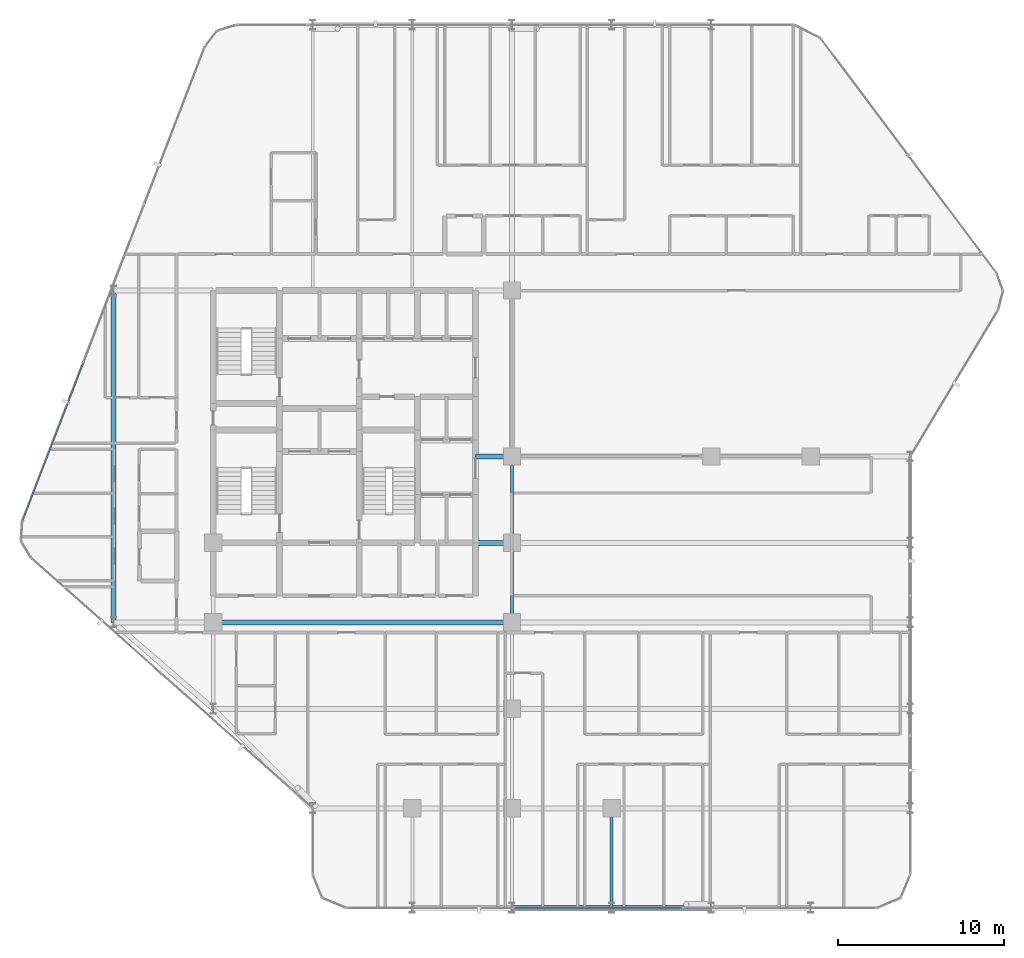
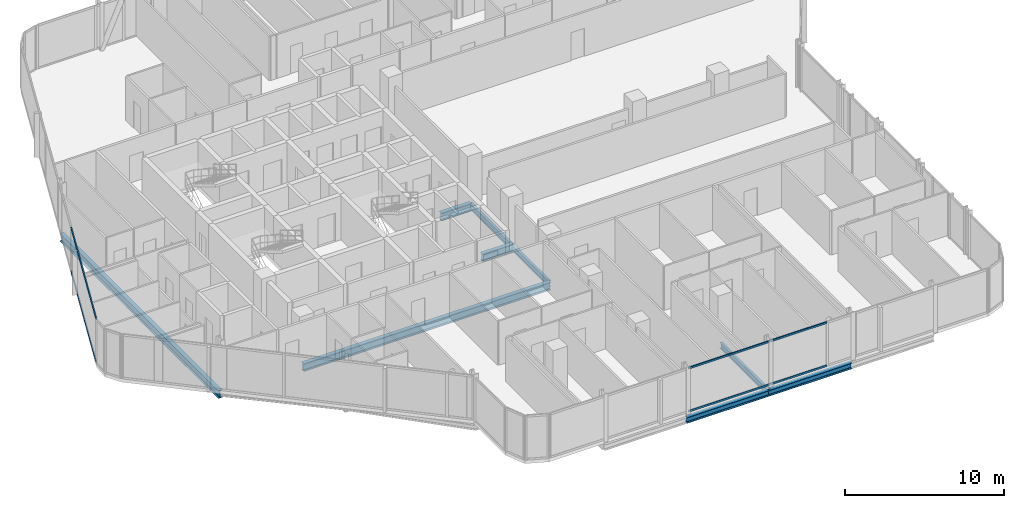
# One storey, part 7 of 29: 9 beams, 4 members, 2 elements without a shape of their own.
"""IFC4 building model written with IfcOpenShell, lengths in metres."""

from ifc_helpers import new_model, si_unit, direction, frame, origin, origin_2d, place, context, subcontext, project, spatial, hollow_rectangle, i_section, extrude, material, layer, layer_set, material_profile, profile_set, type_object, element, aggregate, save


model = new_model("IFC4")

# Units and contexts
model_context = context("Model", 3, precision=1e-05, world=origin(), true_north=direction((0.0, 1.0)))
body_context = subcontext(model_context, "Body", "Model", "MODEL_VIEW")
ifc_project = project(units=[si_unit("LENGTHUNIT", "METRE"), si_unit("AREAUNIT", "SQUARE_METRE"), si_unit("VOLUMEUNIT", "CUBIC_METRE"), si_unit("PLANEANGLEUNIT", "RADIAN"), si_unit("MASSUNIT", "GRAM", prefix="KILO")], contexts=[model_context])

# Site, building, storey
site_placement = place(None, origin())
site = spatial("IfcSite", under=ifc_project, at=site_placement, CompositionType="ELEMENT")
building_placement = place(site_placement, origin())
building = spatial("IfcBuilding", under=site, at=building_placement, Name="Keshet Zoharim Tower", CompositionType="ELEMENT")
storey_placement = place(building_placement, frame((0.0, 0.0, 102.0)))
storey = spatial("IfcBuildingStorey", under=building, at=storey_placement, Name="L24", CompositionType="ELEMENT", Elevation=102.0)

# Beams
ifc_material_1 = material(Name="Steel S355", Category="steel")
ifc_material_profile_1 = material_profile(ifc_material_1, i_section(OverallWidth=0.300048828125, OverallDepth=0.60009765625, WebThickness=0.015380859375, FlangeThickness=0.030029296875, FilletRadius=0.027099609375, at=origin_2d()), Name="HEB600")
ifc_profile_set_1 = profile_set([ifc_material_profile_1], Name="Steel S355")
beam_type_1 = type_object("IfcBeamType", Name="BM-CLK-HB600", PredefinedType="BEAM", material=ifc_profile_set_1)
for number, where, z_axis, x_axis, name in (
    (1, (30.800048828125, 22.699951171875, -0.614990234375), (1.0, 0.0, 0.0), (0.0, 1.0, 0.0), "L24 Core Wall Link Girder 01"),
    (2, (30.800048828125, 27.89990234375, -0.614990234375), (1.0, 0.0, 0.0), (0.0, 1.0, 0.0), "L24 Core Wall Link Girder 02"),
):
    element("IfcBeam", number, at=place(storey_placement, frame(where, z_axis=z_axis, x_axis=x_axis)), inside=storey, type_object=beam_type_1, Name=name, PredefinedType="BEAM", context=body_context, shape_type="SweptSolid", body=[
        extrude(i_section(OverallWidth=0.300048828125, OverallDepth=0.60009765625, WebThickness=0.015380859375, FlangeThickness=0.030029296875, FilletRadius=0.027099609375, at=origin_2d()), origin(), (0.0, 0.0, 1.0), 2.199951171875),
    ])
ifc_material_profile_2 = material_profile(ifc_material_1, i_section(OverallWidth=0.300048828125, OverallDepth=0.60009765625, WebThickness=0.015380859375, FlangeThickness=0.030029296875, FilletRadius=0.027099609375, at=origin_2d()), Name="HEB600")
ifc_profile_set_2 = profile_set([ifc_material_profile_2], Name="Steel S355")
beam_type_2 = type_object("IfcBeamType", Name="BM-LNG-HB600", PredefinedType="BEAM", material=ifc_profile_set_2)
beam_1_placement = place(storey_placement, frame((15.0, 17.89990234375, -0.614990234375), z_axis=(1.0, 0.0, 0.0), x_axis=(0.0, 1.0, 0.0)))
element("IfcBeam", 3, at=beam_1_placement, inside=storey, type_object=beam_type_2, Name="L24 Primary Girder X-012", PredefinedType="BEAM", context=body_context, shape_type="SweptSolid", body=[
    extrude(i_section(OverallWidth=0.300048828125, OverallDepth=0.60009765625, WebThickness=0.015380859375, FlangeThickness=0.030029296875, FilletRadius=0.027099609375, at=origin_2d()), origin(), (0.0, 0.0, 1.0), 18.0),
])
beam_2_placement = place(storey_placement, frame((9.0, 17.89990234375, -0.614990234375), z_axis=(0.0, 1.0, 0.0), x_axis=(-1.0, 0.0, 0.0)))
element("IfcBeam", 4, at=beam_2_placement, inside=storey, type_object=beam_type_2, Name="L24 Primary Girder Y-001", PredefinedType="BEAM", context=body_context, shape_type="SweptSolid", body=[
    extrude(i_section(OverallWidth=0.300048828125, OverallDepth=0.60009765625, WebThickness=0.015380859375, FlangeThickness=0.030029296875, FilletRadius=0.027099609375, at=origin_2d()), origin(), (0.0, 0.0, 1.0), 20.0),
])
ifc_material_profile_3 = material_profile(ifc_material_1, i_section(OverallWidth=0.18994140625, OverallDepth=0.449951171875, WebThickness=0.009521484375, FlangeThickness=0.0146484375, FilletRadius=0.02099609375, at=origin_2d()), Name="IPE450")
ifc_profile_set_3 = profile_set([ifc_material_profile_3], Name="Steel S355")
beam_type_3 = type_object("IfcBeamType", Name="BM-PRI-IP450", PredefinedType="BEAM", material=ifc_profile_set_3)
beam_3_placement = place(storey_placement, frame((33.0, 17.89990234375, -0.5400390625), z_axis=(0.0, 1.0, 0.0), x_axis=(-1.0, 0.0, 0.0)))
element("IfcBeam", 5, at=beam_3_placement, inside=storey, type_object=beam_type_3, Name="L24 Primary Girder Y-008", PredefinedType="BEAM", context=body_context, shape_type="SweptSolid", body=[
    extrude(i_section(OverallWidth=0.18994140625, OverallDepth=0.449951171875, WebThickness=0.009521484375, FlangeThickness=0.0146484375, FilletRadius=0.02099609375, at=origin_2d()), origin(), (0.0, 0.0, 1.0), 4.800048828125),
])
beam_4_placement = place(storey_placement, frame((33.0, 22.699951171875, -0.5400390625), z_axis=(0.0, 1.0, 0.0), x_axis=(-1.0, 0.0, 0.0)))
element("IfcBeam", 6, at=beam_4_placement, inside=storey, type_object=beam_type_3, Name="L24 Primary Girder Y-009", PredefinedType="BEAM", context=body_context, shape_type="SweptSolid", body=[
    extrude(i_section(OverallWidth=0.18994140625, OverallDepth=0.449951171875, WebThickness=0.009521484375, FlangeThickness=0.0146484375, FilletRadius=0.02099609375, at=origin_2d()), origin(), (0.0, 0.0, 1.0), 5.199951171875),
])
beam_5_placement = place(storey_placement, frame((39.0, 0.699951171875, -0.5400390625), z_axis=(0.0, 1.0, 0.0), x_axis=(-1.0, 0.0, 0.0)))
element("IfcBeam", 7, at=beam_5_placement, inside=storey, type_object=beam_type_3, Name="L24 Primary Girder Y-012", PredefinedType="BEAM", context=body_context, shape_type="SweptSolid", body=[
    extrude(i_section(OverallWidth=0.18994140625, OverallDepth=0.449951171875, WebThickness=0.009521484375, FlangeThickness=0.0146484375, FilletRadius=0.02099609375, at=origin_2d()), origin(), (0.0, 0.0, 1.0), 6.0),
])
ifc_material_profile_4 = material_profile(ifc_material_1, i_section(OverallWidth=0.300048828125, OverallDepth=0.449951171875, WebThickness=0.013916015625, FlangeThickness=0.02587890625, FilletRadius=0.027099609375, at=origin_2d()), Name="HEB450")
ifc_profile_set_4 = profile_set([ifc_material_profile_4], Name="Steel S355")
beam_type_4 = type_object("IfcBeamType", Name="BM-WEB-HB450", PredefinedType="BEAM", material=ifc_profile_set_4)
for number, where, z_axis, x_axis, name in (
    (8, (33.0, 0.699951171875, -0.5400390625), (1.0, 0.0, 0.0), (0.0, 1.0, 0.0), "L24 Primary Girder X-002"),
    (9, (39.0, 0.699951171875, -0.5400390625), (1.0, 0.0, 0.0), (0.0, 1.0, 0.0), "L24 Primary Girder X-003"),
):
    element("IfcBeam", number, at=place(storey_placement, frame(where, z_axis=z_axis, x_axis=x_axis)), inside=storey, type_object=beam_type_4, Name=name, PredefinedType="BEAM", context=body_context, shape_type="SweptSolid", body=[
        extrude(i_section(OverallWidth=0.300048828125, OverallDepth=0.449951171875, WebThickness=0.013916015625, FlangeThickness=0.02587890625, FilletRadius=0.027099609375, at=origin_2d()), origin(), (0.0, 0.0, 1.0), 6.0),
    ])

# Curtain wall, members
ifc_material_2 = material(Name="Aluminium 6063-T6", Category="aluminium")
ifc_layer = layer(ifc_material_2, 0.159912109375)
ifc_layer_set = layer_set([ifc_layer], Name="Aluminium 6063-T6")
curtain_wall_type = type_object("IfcCurtainWallType", Name="CW-SYS-03", PredefinedType="NOTDEFINED", material=ifc_layer_set)
curtain_wall_1_placement = place(storey_placement, origin())
curtain_wall_1 = element("IfcCurtainWall", 10, at=curtain_wall_1_placement, inside=storey, type_object=curtain_wall_type, Name="L24 Unitised Curtain Wall 03 Part 3", PredefinedType="NOTDEFINED")
ifc_material_profile_5 = material_profile(ifc_material_2, hollow_rectangle(XDim=0.080078125, YDim=0.139892578125, WallThickness=0.00390625, at=origin_2d()), Name="TRN-80x140")
ifc_profile_set_5 = profile_set([ifc_material_profile_5], Name="Aluminium 6063-T6")
member_type = type_object("IfcMemberType", Name="CWT-T14", PredefinedType="USERDEFINED", material=ifc_profile_set_5)
member_1_placement = place(storey_placement, frame((43.2373046875, 0.699951171875, 0.034912109375), z_axis=(-1.0, 0.0, 0.0), x_axis=(0.0, -1.0, 0.0)))
member_1 = element("IfcMember", 11, at=member_1_placement, type_object=member_type, Name="CW-03 transom 1.1", ObjectType="TRANSOM", PredefinedType="USERDEFINED", context=body_context, shape_type="SweptSolid", body=[
    extrude(hollow_rectangle(XDim=0.080078125, YDim=0.139892578125, WallThickness=0.00390625, at=origin_2d()), origin(), (0.0, 0.0, 1.0), 10.08349609375),
])
member_2_placement = place(storey_placement, frame((43.2373046875, 0.699951171875, 3.35009765625), z_axis=(-1.0, 0.0, 0.0), x_axis=(0.0, -1.0, 0.0)))
member_2 = element("IfcMember", 12, at=member_2_placement, type_object=member_type, Name="CW-03 transom 1.2", ObjectType="TRANSOM", PredefinedType="USERDEFINED", context=body_context, shape_type="SweptSolid", body=[
    extrude(hollow_rectangle(XDim=0.080078125, YDim=0.139892578125, WallThickness=0.00390625, at=origin_2d()), origin(), (0.0, 0.0, 1.0), 10.08349609375),
])
aggregate(curtain_wall_1, [member_1, member_2])

curtain_wall_2_placement = place(storey_placement, origin())
curtain_wall_2 = element("IfcCurtainWall", 13, at=curtain_wall_2_placement, inside=storey, type_object=curtain_wall_type, Name="L24 Unitised Curtain Wall 10", PredefinedType="NOTDEFINED")
member_3_placement = place(storey_placement, frame((3.522216796875, 24.058349609375, 0.034912109375), z_axis=(0.358993631387, 0.93334000912, 0.0), x_axis=(-0.93334000912, 0.358993631387, 0.0)))
member_3 = element("IfcMember", 14, at=member_3_placement, type_object=member_type, Name="CW-03 transom 1.1", ObjectType="TRANSOM", PredefinedType="USERDEFINED", context=body_context, shape_type="SweptSolid", body=[
    extrude(hollow_rectangle(XDim=0.080078125, YDim=0.139892578125, WallThickness=0.00390625, at=origin_2d()), origin(), (0.0, 0.0, 1.0), 10.1181640625),
])
member_4_placement = place(storey_placement, frame((3.522216796875, 24.058349609375, 3.35009765625), z_axis=(0.358993631387, 0.93334000912, 0.0), x_axis=(-0.93334000912, 0.358993631387, 0.0)))
member_4 = element("IfcMember", 15, at=member_4_placement, type_object=member_type, Name="CW-03 transom 1.2", ObjectType="TRANSOM", PredefinedType="USERDEFINED", context=body_context, shape_type="SweptSolid", body=[
    extrude(hollow_rectangle(XDim=0.080078125, YDim=0.139892578125, WallThickness=0.00390625, at=origin_2d()), origin(), (0.0, 0.0, 1.0), 10.1181640625),
])
aggregate(curtain_wall_2, [member_3, member_4])

save(model, "model.ifc")
